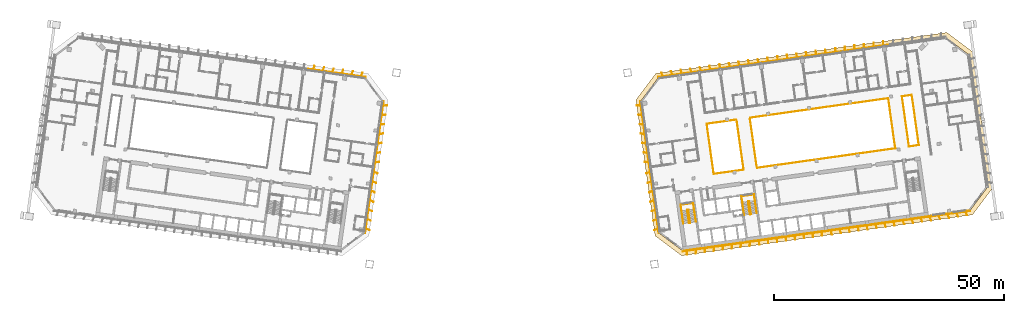
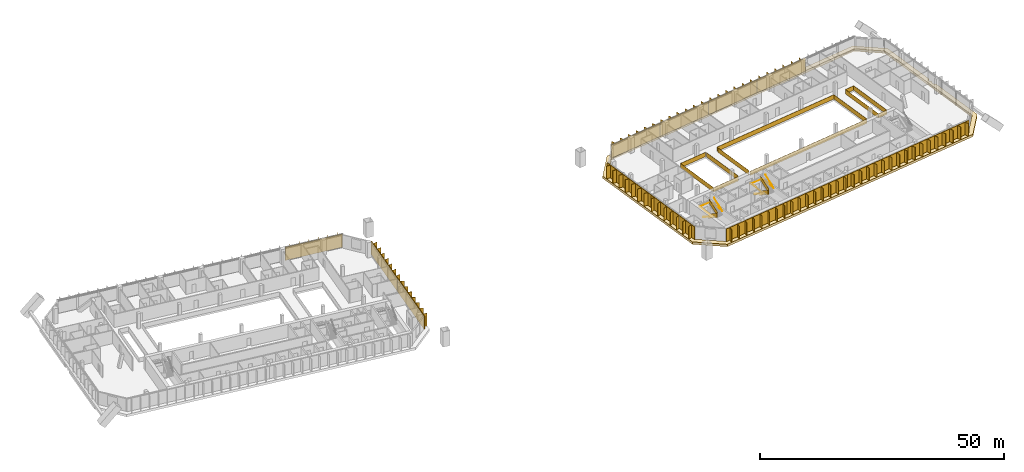
# One storey, part 33 of 34: 13 shading devices, 9 railings, 1 covering.
"""IFC4 building model written with IfcOpenShell, lengths in metres."""

from ifc_helpers import new_model, si_unit, direction, frame, origin, origin_2d, place, context, subcontext, project, spatial, polyline, rectangle, outline, extrude, material, layer, layer_set, type_object, element, save


model = new_model("IFC4")

# Units and contexts
model_context = context("Model", 3, precision=1e-05, world=origin(), true_north=direction((0.0, 1.0)))
body_context = subcontext(model_context, "Body", "Model", "MODEL_VIEW")
ifc_project = project(units=[si_unit("LENGTHUNIT", "METRE"), si_unit("AREAUNIT", "SQUARE_METRE"), si_unit("VOLUMEUNIT", "CUBIC_METRE"), si_unit("PLANEANGLEUNIT", "RADIAN"), si_unit("MASSUNIT", "GRAM", prefix="KILO")], contexts=[model_context])

# Site, building, storey
site_placement = place(None, origin())
site = spatial("IfcSite", under=ifc_project, at=site_placement, CompositionType="ELEMENT")
building_placement = place(site_placement, origin())
building = spatial("IfcBuilding", under=site, at=building_placement, Name="Mirante Cascada Hotel Towers", CompositionType="ELEMENT")
storey_placement = place(building_placement, frame((0.0, 0.0, 148.1)))
storey = spatial("IfcBuildingStorey", under=building, at=storey_placement, Name="L34", CompositionType="ELEMENT", Elevation=148.1)

# Railings
ifc_material_1 = material(Name="Toughened glass with stainless steel handrail", Category="steel")
railing_type_1 = type_object("IfcRailingType", Name="Atrium guard 1100 glass balustrade", PredefinedType="GUARDRAIL", material=ifc_material_1)
railing_1_placement = place(storey_placement, frame((48.76, 8.3112, 0.0)))
element("IfcRailing", 1, at=railing_1_placement, inside=storey, type_object=railing_type_1, Name="GUARD 2-L34-1", PredefinedType="GUARDRAIL", context=body_context, shape_type="SweptSolid", body=[
    extrude(rectangle(XDim=0.048, YDim=0.048, at=origin_2d()), frame((0.0, 0.0, 1.076), z_axis=(-0.9902694, -0.1391638, 0.0), x_axis=(0.1391638, -0.9902694, 0.0)), (0.0, 0.0, 1.0), 6.5125),
    extrude(rectangle(XDim=0.02, YDim=1.052, at=origin_2d()), frame((0.0, 0.0, 0.526), z_axis=(-0.9902694, -0.1391638, 0.0), x_axis=(0.1391638, -0.9902694, 0.0)), (0.0, 0.0, 1.0), 6.5125),
    extrude(rectangle(XDim=0.048, YDim=0.048, at=origin_2d()), frame((-6.4491, -0.9063, 1.076), z_axis=(0.1391721, -0.9902682, 0.0), x_axis=(0.9902682, 0.1391721, 0.0)), (0.0, 0.0, 1.0), 11.0001),
    extrude(rectangle(XDim=0.02, YDim=1.052, at=origin_2d()), frame((-6.4491, -0.9063, 0.526), z_axis=(0.1391721, -0.9902682, 0.0), x_axis=(0.9902682, 0.1391721, 0.0)), (0.0, 0.0, 1.0), 11.0001),
    extrude(rectangle(XDim=0.048, YDim=0.048, at=origin_2d()), frame((-4.9182, -11.7993, 1.076), z_axis=(0.9902673, 0.1391788, 0.0), x_axis=(-0.1391788, 0.9902673, 0.0)), (0.0, 0.0, 1.0), 6.5125),
    extrude(rectangle(XDim=0.02, YDim=1.052, at=origin_2d()), frame((-4.9182, -11.7993, 0.526), z_axis=(0.9902673, 0.1391788, 0.0), x_axis=(-0.1391788, 0.9902673, 0.0)), (0.0, 0.0, 1.0), 6.5125),
])
railing_2_placement = place(storey_placement, frame((53.2617, -2.1642, 0.0)))
element("IfcRailing", 2, at=railing_2_placement, inside=storey, type_object=railing_type_1, Name="GUARD 2-L34-2", PredefinedType="GUARDRAIL", context=body_context, shape_type="SweptSolid", body=[
    extrude(rectangle(XDim=0.048, YDim=0.048, at=origin_2d()), frame((0.0, 0.0, 1.076), z_axis=(0.9902682, 0.1391722, 0.0), x_axis=(-0.1391722, 0.9902682, 0.0)), (0.0, 0.0, 1.0), 30.325),
    extrude(rectangle(XDim=0.02, YDim=1.052, at=origin_2d()), frame((0.0, 0.0, 0.526), z_axis=(0.9902682, 0.1391722, 0.0), x_axis=(-0.1391722, 0.9902682, 0.0)), (0.0, 0.0, 1.0), 30.325),
    extrude(rectangle(XDim=0.048, YDim=0.048, at=origin_2d()), frame((30.0299, 4.2204, 1.076), z_axis=(-0.1391721, 0.9902682, 0.0), x_axis=(-0.9902682, -0.1391721, 0.0)), (0.0, 0.0, 1.0), 11.0001),
    extrude(rectangle(XDim=0.02, YDim=1.052, at=origin_2d()), frame((30.0299, 4.2204, 0.526), z_axis=(-0.1391721, 0.9902682, 0.0), x_axis=(-0.9902682, -0.1391721, 0.0)), (0.0, 0.0, 1.0), 11.0001),
    extrude(rectangle(XDim=0.048, YDim=0.048, at=origin_2d()), frame((28.499, 15.1134, 1.076), z_axis=(-0.9902682, -0.1391722, 0.0), x_axis=(0.1391722, -0.9902682, 0.0)), (0.0, 0.0, 1.0), 30.325),
    extrude(rectangle(XDim=0.02, YDim=1.052, at=origin_2d()), frame((28.499, 15.1134, 0.526), z_axis=(-0.9902682, -0.1391722, 0.0), x_axis=(0.1391722, -0.9902682, 0.0)), (0.0, 0.0, 1.0), 30.325),
])
railing_3_placement = place(storey_placement, frame((86.2624, 2.4738, 0.0)))
element("IfcRailing", 3, at=railing_3_placement, inside=storey, type_object=railing_type_1, Name="GUARD 2-L34-3", PredefinedType="GUARDRAIL", context=body_context, shape_type="SweptSolid", body=[
    extrude(rectangle(XDim=0.048, YDim=0.048, at=origin_2d()), frame((0.0, 0.0, 1.076), z_axis=(0.9902724, 0.1391422, 0.0), x_axis=(-0.1391422, 0.9902724, 0.0)), (0.0, 0.0, 1.0), 2.1625),
    extrude(rectangle(XDim=0.02, YDim=1.052, at=origin_2d()), frame((0.0, 0.0, 0.526), z_axis=(0.9902724, 0.1391422, 0.0), x_axis=(-0.1391422, 0.9902724, 0.0)), (0.0, 0.0, 1.0), 2.1625),
    extrude(rectangle(XDim=0.048, YDim=0.048, at=origin_2d()), frame((2.1415, 0.3009, 1.076), z_axis=(-0.1391721, 0.9902682, 0.0), x_axis=(-0.9902682, -0.1391721, 0.0)), (0.0, 0.0, 1.0), 11.0001),
    extrude(rectangle(XDim=0.02, YDim=1.052, at=origin_2d()), frame((2.1415, 0.3009, 0.526), z_axis=(-0.1391721, 0.9902682, 0.0), x_axis=(-0.9902682, -0.1391721, 0.0)), (0.0, 0.0, 1.0), 11.0001),
    extrude(rectangle(XDim=0.048, YDim=0.048, at=origin_2d()), frame((0.6106, 11.1939, 1.076), z_axis=(-0.990266, -0.1391875, 0.0), x_axis=(0.1391875, -0.990266, 0.0)), (0.0, 0.0, 1.0), 2.1626),
    extrude(rectangle(XDim=0.02, YDim=1.052, at=origin_2d()), frame((0.6106, 11.1939, 0.526), z_axis=(-0.990266, -0.1391875, 0.0), x_axis=(0.1391875, -0.990266, 0.0)), (0.0, 0.0, 1.0), 2.1626),
    extrude(rectangle(XDim=0.048, YDim=0.048, at=origin_2d()), frame((-1.5309, 10.8929, 1.076), z_axis=(0.1391733, -0.990268, 0.0), x_axis=(0.990268, 0.1391733, 0.0)), (0.0, 0.0, 1.0), 11.0),
    extrude(rectangle(XDim=0.02, YDim=1.052, at=origin_2d()), frame((-1.5309, 10.8929, 0.526), z_axis=(0.1391733, -0.990268, 0.0), x_axis=(0.990268, 0.1391733, 0.0)), (0.0, 0.0, 1.0), 11.0),
])
railing_4_placement = place(storey_placement, frame((50.2983, -2.2822, 0.0)))
element("IfcRailing", 4, at=railing_4_placement, inside=storey, type_object=railing_type_1, Name="GUARD 2-L34-4", PredefinedType="GUARDRAIL", context=body_context, shape_type="SweptSolid", body=[
    extrude(rectangle(XDim=0.048, YDim=0.048, at=origin_2d()), frame((0.0, 0.0, 1.076), z_axis=(-0.1391708, 0.9902684, 0.0), x_axis=(-0.9902684, -0.1391708, 0.0)), (0.0, 0.0, 1.0), 10.4088),
    extrude(rectangle(XDim=0.02, YDim=1.052, at=origin_2d()), frame((0.0, 0.0, 0.526), z_axis=(-0.1391708, 0.9902684, 0.0), x_axis=(-0.9902684, -0.1391708, 0.0)), (0.0, 0.0, 1.0), 10.4088),
])
railing_5_placement = place(storey_placement, frame((51.7234, 8.4292, 0.0)))
element("IfcRailing", 5, at=railing_5_placement, inside=storey, type_object=railing_type_1, Name="GUARD 2-L34-5", PredefinedType="GUARDRAIL", context=body_context, shape_type="SweptSolid", body=[
    extrude(rectangle(XDim=0.048, YDim=0.048, at=origin_2d()), frame((0.0, 0.0, 1.076), z_axis=(0.1391721, -0.9902682, 0.0), x_axis=(0.9902682, 0.1391721, 0.0)), (0.0, 0.0, 1.0), 10.4087),
    extrude(rectangle(XDim=0.02, YDim=1.052, at=origin_2d()), frame((0.0, 0.0, 0.526), z_axis=(0.1391721, -0.9902682, 0.0), x_axis=(0.9902682, 0.1391721, 0.0)), (0.0, 0.0, 1.0), 10.4087),
])

# Covering
ifc_material_2 = material(Name="Precast concrete C40/50 white", Category="concrete")
ifc_layer = layer(ifc_material_2, 0.6)
ifc_layer_set = layer_set([ifc_layer], Name="Precast concrete SUNSHADE band 1000x600")
covering_type = type_object("IfcCoveringType", Name="Precast concrete SUNSHADE band 1000x600", PredefinedType="CLADDING", material=ifc_layer_set)
covering_placement = place(storey_placement, frame((0.0, 0.0, -0.45)))
element("IfcCovering", 6, at=covering_placement, inside=storey, type_object=covering_type, Name="Precast concrete SUNSHADE band T2 L34", PredefinedType="CLADDING", context=body_context, shape_type="SweptSolid", body=[
    extrude(outline(polyline([(26.9341, 12.6299), (31.2626, 18.374), (94.4698, 27.2572), (100.2139, 22.9287), (102.1277, 9.3114), (102.1128, 9.3062), (102.0701, 9.2862), (102.0296, 9.2621), (101.9917, 9.2342), (101.9567, 9.2027), (101.9249, 9.1679), (101.8967, 9.1302), (101.8723, 9.0899), (101.852, 9.0474), (101.836, 9.0031), (101.8244, 8.9574), (101.8173, 8.9109), (101.8148, 8.8638), (101.817, 8.8168), (101.8393, 8.5803), (101.8461, 8.5337), (101.8574, 8.4879), (101.8731, 8.4435), (101.893, 8.4009), (101.9171, 8.3604), (101.945, 8.3224), (101.9765, 8.2874), (102.0113, 8.2557), (102.049, 8.2274), (102.0893, 8.2031), (102.1319, 8.1828), (102.1761, 8.1667), (102.2218, 8.1551), (102.2389, 8.1525), (102.2232, 8.1453), (102.1825, 8.1215), (102.1443, 8.0939), (102.1091, 8.0627), (102.077, 8.0282), (102.0485, 7.9906), (102.0239, 7.9505), (102.0032, 7.9082), (101.9869, 7.864), (101.9749, 7.8184), (101.9674, 7.7719), (101.9646, 7.7249), (101.9664, 7.6778), (101.9727, 7.6312), (102.0164, 7.3977), (102.0273, 7.3519), (102.0427, 7.3073), (102.0623, 7.2645), (102.0861, 7.2238), (102.1137, 7.1857), (102.1449, 7.1504), (102.1795, 7.1184), (102.217, 7.0899), (102.2571, 7.0652), (102.2994, 7.0446), (102.3436, 7.0282), (102.3892, 7.0162), (102.4357, 7.0088), (102.4514, 7.0078), (104.3652, -6.6094), (100.0367, -12.3535), (36.8295, -21.2367), (31.0854, -16.9082), (26.9341, 12.6299)]), holes=[polyline([(103.3173, -6.3384), (99.2813, 22.3794), (94.1988, 26.2093), (31.8119, 17.4414), (27.982, 12.3589), (32.018, -16.3589), (37.1005, -20.1888), (99.4874, -11.4209), (103.3173, -6.3384)])]), origin(), (0.0, 0.0, 1.0), 0.6),
])

# Railings
ifc_material_3 = material(Name="Painted steel", Category="steel")
railing_type_2 = type_object("IfcRailingType", Name="Stair guard 1100 steel balustrade", PredefinedType="GUARDRAIL", material=ifc_material_3)
railing_6_placement = place(storey_placement, frame((38.2663, -11.2395, 0.0)))
element("IfcRailing", 7, at=railing_6_placement, inside=storey, type_object=railing_type_2, Name="L34 ST2-A stair guard 1", PredefinedType="GUARDRAIL", context=body_context, shape_type="SweptSolid", body=[
    extrude(rectangle(XDim=0.048, YDim=0.048, at=origin_2d()), frame((0.0, 0.0, 1.076), z_axis=(-0.9903326, -0.1387133, 0.0), x_axis=(0.1387133, -0.9903326, 0.0)), (0.0, 0.0, 1.0), 0.1499),
    extrude(rectangle(XDim=0.02, YDim=1.052, at=origin_2d()), frame((0.0, 0.0, 0.526), z_axis=(-0.9903326, -0.1387133, 0.0), x_axis=(0.1387133, -0.9903326, 0.0)), (0.0, 0.0, 1.0), 0.1499),
    extrude(rectangle(XDim=0.048, YDim=0.048, at=origin_2d()), frame((-0.1485, -0.0208, 1.076), z_axis=(-0.6020331, -0.7984711, 0.0), x_axis=(0.7984711, -0.6020331, 0.0)), (0.0, 0.9253398, 0.3791387), 0.1866),
    extrude(rectangle(XDim=0.02, YDim=1.052, at=origin_2d()), frame((-0.1485, -0.0208, 0.526), z_axis=(-0.6020331, -0.7984711, 0.0), x_axis=(0.7984711, -0.6020331, 0.0)), (0.0, 0.9253398, 0.3791387), 0.1866),
    extrude(rectangle(XDim=0.048, YDim=0.048, at=origin_2d()), frame((-0.1911, -0.0773, 1.2487), z_axis=(0.139176, -0.9902677, 0.0), x_axis=(0.9902677, 0.139176, 0.0)), (0.0, 0.5250212, 0.8510891), 3.29),
    extrude(rectangle(XDim=0.02, YDim=1.052, at=origin_2d()), frame((-0.1911, -0.0773, 0.6987), z_axis=(0.139176, -0.9902677, 0.0), x_axis=(0.9902677, 0.139176, 0.0)), (0.0, 0.5250212, 0.8510891), 3.29),
    extrude(rectangle(XDim=0.048, YDim=0.048, at=origin_2d()), frame((0.1986, -2.8501, 2.976), z_axis=(0.9944948, -0.1047858, 0.0), x_axis=(0.1047858, 0.9944948, 0.0)), (0.0, 0.0, 1.0), 0.2061),
    extrude(rectangle(XDim=0.02, YDim=1.052, at=origin_2d()), frame((0.1986, -2.8501, 2.426), z_axis=(0.9944948, -0.1047858, 0.0), x_axis=(0.1047858, 0.9944948, 0.0)), (0.0, 0.0, 1.0), 0.2061),
    extrude(rectangle(XDim=0.048, YDim=0.048, at=origin_2d()), frame((0.4036, -2.8717, 2.976), z_axis=(-0.9902408, -0.1393672, 0.0), x_axis=(0.1393672, -0.9902408, 0.0)), (0.0, 0.0, 1.0), 0.15),
    extrude(rectangle(XDim=0.02, YDim=1.052, at=origin_2d()), frame((0.4036, -2.8717, 2.426), z_axis=(-0.9902408, -0.1393672, 0.0), x_axis=(0.1393672, -0.9902408, 0.0)), (0.0, 0.0, 1.0), 0.15),
    extrude(rectangle(XDim=0.048, YDim=0.048, at=origin_2d()), frame((0.2551, -2.8926, 2.976), z_axis=(0.9270311, 0.3749843, 0.0), x_axis=(-0.3749843, 0.9270311, 0.0)), (0.0, 0.6421903, 0.7665452), 0.2689),
    extrude(rectangle(XDim=0.02, YDim=1.052, at=origin_2d()), frame((0.2551, -2.8926, 2.426), z_axis=(0.9270311, 0.3749843, 0.0), x_axis=(-0.3749843, 0.9270311, 0.0)), (0.0, 0.6421903, 0.7665452), 0.2689),
    extrude(rectangle(XDim=0.048, YDim=0.048, at=origin_2d()), frame((0.4462, -2.8153, 3.1487), z_axis=(-0.139176, 0.9902677, 0.0), x_axis=(-0.9902677, -0.139176, 0.0)), (0.0, 0.5250212, 0.8510891), 3.29),
    extrude(rectangle(XDim=0.02, YDim=1.052, at=origin_2d()), frame((0.4462, -2.8153, 2.5987), z_axis=(-0.139176, 0.9902677, 0.0), x_axis=(-0.9902677, -0.139176, 0.0)), (0.0, 0.5250212, 0.8510891), 3.29),
])
railing_7_placement = place(storey_placement, frame((51.4864, -9.3815, 0.0)))
element("IfcRailing", 8, at=railing_7_placement, inside=storey, type_object=railing_type_2, Name="L34 ST2-B stair guard 1", PredefinedType="GUARDRAIL", context=body_context, shape_type="SweptSolid", body=[
    extrude(rectangle(XDim=0.048, YDim=0.048, at=origin_2d()), frame((0.0, 0.0, 1.076), z_axis=(-0.9902408, -0.1393672, 0.0), x_axis=(0.1393672, -0.9902408, 0.0)), (0.0, 0.0, 1.0), 0.15),
    extrude(rectangle(XDim=0.02, YDim=1.052, at=origin_2d()), frame((0.0, 0.0, 0.526), z_axis=(-0.9902408, -0.1393672, 0.0), x_axis=(0.1393672, -0.9902408, 0.0)), (0.0, 0.0, 1.0), 0.15),
    extrude(rectangle(XDim=0.048, YDim=0.048, at=origin_2d()), frame((-0.1485, -0.0209, 1.076), z_axis=(-0.6020331, -0.7984711, 0.0), x_axis=(0.7984711, -0.6020331, 0.0)), (0.0, 0.9253398, 0.3791387), 0.1866),
    extrude(rectangle(XDim=0.02, YDim=1.052, at=origin_2d()), frame((-0.1485, -0.0209, 0.526), z_axis=(-0.6020331, -0.7984711, 0.0), x_axis=(0.7984711, -0.6020331, 0.0)), (0.0, 0.9253398, 0.3791387), 0.1866),
    extrude(rectangle(XDim=0.048, YDim=0.048, at=origin_2d()), frame((-0.1911, -0.0774, 1.2487), z_axis=(0.139181, -0.990267, 0.0), x_axis=(0.990267, 0.139181, 0.0)), (0.0, 0.5250347, 0.8510808), 3.2899),
    extrude(rectangle(XDim=0.02, YDim=1.052, at=origin_2d()), frame((-0.1911, -0.0774, 0.6987), z_axis=(0.139181, -0.990267, 0.0), x_axis=(0.990267, 0.139181, 0.0)), (0.0, 0.5250347, 0.8510808), 3.2899),
    extrude(rectangle(XDim=0.048, YDim=0.048, at=origin_2d()), frame((0.1986, -2.8501, 2.976), z_axis=(0.9944441, -0.1052656, 0.0), x_axis=(0.1052656, 0.9944441, 0.0)), (0.0, 0.0, 1.0), 0.2061),
    extrude(rectangle(XDim=0.02, YDim=1.052, at=origin_2d()), frame((0.1986, -2.8501, 2.426), z_axis=(0.9944441, -0.1052656, 0.0), x_axis=(0.1052656, 0.9944441, 0.0)), (0.0, 0.0, 1.0), 0.2061),
    extrude(rectangle(XDim=0.048, YDim=0.048, at=origin_2d()), frame((0.4036, -2.8718, 2.976), z_axis=(-0.9902408, -0.1393672, 0.0), x_axis=(0.1393672, -0.9902408, 0.0)), (0.0, 0.0, 1.0), 0.15),
    extrude(rectangle(XDim=0.02, YDim=1.052, at=origin_2d()), frame((0.4036, -2.8718, 2.426), z_axis=(-0.9902408, -0.1393672, 0.0), x_axis=(0.1393672, -0.9902408, 0.0)), (0.0, 0.0, 1.0), 0.15),
    extrude(rectangle(XDim=0.048, YDim=0.048, at=origin_2d()), frame((0.2551, -2.8927, 2.976), z_axis=(0.9268624, 0.3754011, 0.0), x_axis=(-0.3754011, 0.9268624, 0.0)), (0.0, 0.6421217, 0.7666028), 0.269),
    extrude(rectangle(XDim=0.02, YDim=1.052, at=origin_2d()), frame((0.2551, -2.8927, 2.426), z_axis=(0.9268624, 0.3754011, 0.0), x_axis=(-0.3754011, 0.9268624, 0.0)), (0.0, 0.6421217, 0.7666028), 0.269),
    extrude(rectangle(XDim=0.048, YDim=0.048, at=origin_2d()), frame((0.4462, -2.8153, 3.1487), z_axis=(-0.139181, 0.990267, 0.0), x_axis=(-0.990267, -0.139181, 0.0)), (0.0, 0.5250347, 0.8510808), 3.2899),
    extrude(rectangle(XDim=0.02, YDim=1.052, at=origin_2d()), frame((0.4462, -2.8153, 2.5987), z_axis=(-0.139181, 0.990267, 0.0), x_axis=(-0.990267, -0.139181, 0.0)), (0.0, 0.5250347, 0.8510808), 3.2899),
])
ifc_material_4 = material(Name="Painted steel", Category="steel")
railing_type_3 = type_object("IfcRailingType", Name="Stair handrail 900 steel tube", PredefinedType="HANDRAIL", material=ifc_material_4)
railing_8_placement = place(storey_placement, frame((36.8374, -11.4908, 0.1727)))
element("IfcRailing", 9, at=railing_8_placement, inside=storey, type_object=railing_type_3, Name="L34 ST2-A stair handrail 1", PredefinedType="HANDRAIL", context=body_context, shape_type="SweptSolid", body=[
    extrude(rectangle(XDim=0.048, YDim=0.048, at=origin_2d()), frame((0.0, 0.0, 0.876), z_axis=(0.139181, -0.990267, 0.0), x_axis=(0.990267, 0.139181, 0.0)), (0.0, 0.5250347, 0.8510808), 3.2899),
    extrude(rectangle(XDim=0.048, YDim=0.048, at=origin_2d()), frame((0.3897, -2.7727, 2.6033), z_axis=(-0.1391707, 0.9902684, 0.0), x_axis=(-0.9902684, -0.1391707, 0.0)), (0.0, 0.0420846, 0.999114), 4.1036),
    extrude(rectangle(XDim=0.048, YDim=0.048, at=origin_2d()), frame((-0.1809, 1.2874, 2.776), z_axis=(0.9902691, 0.1391657, 0.0), x_axis=(-0.1391657, 0.9902691, 0.0)), (0.0, 0.0, 1.0), 2.75),
    extrude(rectangle(XDim=0.048, YDim=0.048, at=origin_2d()), frame((2.5423, 1.6701, 2.776), z_axis=(0.1391707, -0.9902684, 0.0), x_axis=(0.9902684, 0.1391707, 0.0)), (0.0, 0.0, 1.0), 4.1),
    extrude(rectangle(XDim=0.048, YDim=0.048, at=origin_2d()), frame((3.1129, -2.39, 2.776), z_axis=(-0.139181, 0.990267, 0.0), x_axis=(-0.990267, -0.139181, 0.0)), (0.0, 0.5250347, 0.8510808), 3.2899),
])
railing_9_placement = place(storey_placement, frame((50.0575, -9.6328, 0.1727)))
element("IfcRailing", 10, at=railing_9_placement, inside=storey, type_object=railing_type_3, Name="L34 ST2-B stair handrail 1", PredefinedType="HANDRAIL", context=body_context, shape_type="SweptSolid", body=[
    extrude(rectangle(XDim=0.048, YDim=0.048, at=origin_2d()), frame((0.0, 0.0, 0.876), z_axis=(0.139176, -0.9902677, 0.0), x_axis=(0.9902677, 0.139176, 0.0)), (0.0, 0.5250212, 0.8510891), 3.29),
    extrude(rectangle(XDim=0.048, YDim=0.048, at=origin_2d()), frame((0.3897, -2.7728, 2.6033), z_axis=(-0.1391707, 0.9902684, 0.0), x_axis=(-0.9902684, -0.1391707, 0.0)), (0.0, 0.0420846, 0.999114), 4.1036),
    extrude(rectangle(XDim=0.048, YDim=0.048, at=origin_2d()), frame((-0.1809, 1.2873, 2.776), z_axis=(0.9902641, 0.1392013, 0.0), x_axis=(-0.1392013, 0.9902641, 0.0)), (0.0, 0.0, 1.0), 2.75),
    extrude(rectangle(XDim=0.048, YDim=0.048, at=origin_2d()), frame((2.5423, 1.6701, 2.776), z_axis=(0.1391707, -0.9902684, 0.0), x_axis=(0.9902684, 0.1391707, 0.0)), (0.0, 0.0, 1.0), 4.1),
    extrude(rectangle(XDim=0.048, YDim=0.048, at=origin_2d()), frame((3.1129, -2.39, 2.776), z_axis=(-0.139181, 0.990267, 0.0), x_axis=(-0.990267, -0.139181, 0.0)), (0.0, 0.5250347, 0.8510808), 3.2899),
])

# Shading devices
ifc_material_5 = material(Name="White precast concrete C50/60 fin", Category="concrete")
shading_device_type = type_object("IfcShadingDeviceType", Name="Vertical fin set 4500x900", PredefinedType="USERDEFINED", material=ifc_material_5)
shading_device_1_placement = place(storey_placement, origin())
element("IfcShadingDevice", 11, at=shading_device_1_placement, inside=storey, type_object=shading_device_type, Name="FIN T1 L34 front 5", ObjectType="FIN", PredefinedType="USERDEFINED", context=body_context, shape_type="SweptSolid", body=[
    extrude(outline(polyline([(-32.4493, 18.4994), (-32.7765, 17.7284), (-31.791, 17.5899), (-31.8119, 17.4414), (-44.2893, 19.195), (-44.2684, 19.3435), (-43.2564, 19.2013), (-42.9208, 19.9919), (-42.8471, 19.9607), (-43.1744, 19.1897), (-41.1768, 18.909), (-40.8412, 19.6997), (-40.7676, 19.6684), (-41.0948, 18.8975), (-39.0973, 18.6167), (-38.7616, 19.4074), (-38.688, 19.3761), (-39.0152, 18.6052), (-37.0177, 18.3245), (-36.6821, 19.1151), (-36.6084, 19.0839), (-36.9357, 18.3129), (-34.9381, 18.0322), (-34.6025, 18.8229), (-34.5289, 18.7916), (-34.8561, 18.0207), (-32.8586, 17.7399), (-32.5229, 18.5306), (-32.4493, 18.4994)])), origin(), (0.0, 0.0, 1.0), 3.3),
])
shading_device_2_placement = place(storey_placement, origin())
element("IfcShadingDevice", 12, at=shading_device_2_placement, inside=storey, type_object=shading_device_type, Name="FIN T1 L34 inner 1", ObjectType="FIN", PredefinedType="USERDEFINED", context=body_context, shape_type="SweptSolid", body=[
    extrude(outline(polyline([(-29.7112, -1.023), (-29.8515, -2.0209), (-30.0, -2.0), (-27.982, 12.3589), (-27.8334, 12.338), (-27.97, 11.3667), (-27.1387, 11.4687), (-27.1289, 11.3893), (-27.9815, 11.2846), (-28.2583, 9.3154), (-27.427, 9.4174), (-27.4172, 9.338), (-28.2698, 9.2334), (-28.5465, 7.2641), (-27.7153, 7.3662), (-27.7055, 7.2868), (-28.5581, 7.1821), (-28.8348, 5.2128), (-28.0036, 5.3149), (-27.9938, 5.2355), (-28.8464, 5.1308), (-29.1231, 3.1616), (-28.2918, 3.2636), (-28.2821, 3.1842), (-29.1346, 3.0796), (-29.4114, 1.1103), (-28.5801, 1.2124), (-28.5704, 1.133), (-29.4229, 1.0283), (-29.6997, -0.941), (-28.8684, -0.8389), (-28.8587, -0.9183), (-29.7112, -1.023)])), origin(), (0.0, 0.0, 1.0), 3.3),
])
shading_device_3_placement = place(storey_placement, origin())
element("IfcShadingDevice", 13, at=shading_device_3_placement, inside=storey, type_object=shading_device_type, Name="FIN T1 L34 inner 2", ObjectType="FIN", PredefinedType="USERDEFINED", context=body_context, shape_type="SweptSolid", body=[
    extrude(outline(polyline([(-31.733, -15.4084), (-31.8695, -16.3798), (-32.018, -16.3589), (-30.0, -2.0), (-29.8515, -2.0209), (-29.9917, -3.0188), (-29.201, -3.3544), (-29.2323, -3.428), (-30.0032, -3.1008), (-30.28, -5.07), (-29.4893, -5.4057), (-29.5206, -5.4793), (-30.2915, -5.1521), (-30.5683, -7.1213), (-29.7776, -7.4569), (-29.8089, -7.5306), (-30.5798, -7.2033), (-30.8566, -9.1726), (-30.0659, -9.5082), (-30.0972, -9.5818), (-30.8681, -9.2546), (-31.1449, -11.2238), (-30.3542, -11.5595), (-30.3854, -11.6331), (-31.1564, -11.3059), (-31.4331, -13.2751), (-30.6425, -13.6107), (-30.6737, -13.6844), (-31.4447, -13.3571), (-31.7214, -15.3264), (-30.9308, -15.662), (-30.962, -15.7356), (-31.733, -15.4084)])), origin(), (0.0, 0.0, 1.0), 3.3),
])
shading_device_4_placement = place(storey_placement, origin())
element("IfcShadingDevice", 14, at=shading_device_4_placement, inside=storey, type_object=shading_device_type, Name="FIN T2 L34 front 2", ObjectType="FIN", PredefinedType="USERDEFINED", context=body_context, shape_type="SweptSolid", body=[
    extrude(outline(polyline([(70.3021, 23.8476), (70.3094, 23.0033), (72.3091, 23.2844), (72.3016, 24.1392), (72.3816, 24.1399), (72.389, 23.2956), (74.3886, 23.5766), (74.3812, 24.4314), (74.4612, 24.4321), (74.4686, 23.5878), (76.4682, 23.8689), (76.4608, 24.7237), (76.5407, 24.7244), (76.5481, 23.8801), (78.5478, 24.1611), (78.5403, 25.0159), (78.6203, 25.0166), (78.6277, 24.1724), (80.6273, 24.4534), (80.6199, 25.3082), (80.6999, 25.3089), (80.7072, 24.4646), (81.7006, 24.6042), (81.7214, 24.4557), (69.2441, 22.7021), (69.2232, 22.8507), (70.2295, 22.9921), (70.2221, 23.8469), (70.3021, 23.8476)])), origin(), (0.0, 0.0, 1.0), 3.3),
])
shading_device_5_placement = place(storey_placement, origin())
element("IfcShadingDevice", 15, at=shading_device_5_placement, inside=storey, type_object=shading_device_type, Name="FIN T2 L34 front 3", ObjectType="FIN", PredefinedType="USERDEFINED", context=body_context, shape_type="SweptSolid", body=[
    extrude(outline(polyline([(57.7069, 22.0905), (57.8252, 21.2488), (59.8255, 21.5299), (59.7072, 22.3716), (59.7865, 22.3828), (59.9048, 21.541), (61.9051, 21.8222), (61.7868, 22.6639), (61.866, 22.675), (61.9843, 21.8333), (63.9847, 22.1144), (63.8664, 22.9562), (63.9456, 22.9673), (64.0639, 22.1256), (66.0642, 22.4067), (65.9459, 23.2484), (66.0251, 23.2596), (66.1434, 22.4178), (68.1438, 22.699), (68.0255, 23.5407), (68.1047, 23.5518), (68.223, 22.7101), (69.2232, 22.8507), (69.2441, 22.7021), (56.7667, 20.9485), (56.7458, 21.0971), (57.746, 21.2376), (57.6277, 22.0794), (57.7069, 22.0905)])), origin(), (0.0, 0.0, 1.0), 3.3),
])
shading_device_6_placement = place(storey_placement, origin())
element("IfcShadingDevice", 16, at=shading_device_6_placement, inside=storey, type_object=shading_device_type, Name="FIN T2 L34 front 4", ObjectType="FIN", PredefinedType="USERDEFINED", context=body_context, shape_type="SweptSolid", body=[
    extrude(outline(polyline([(45.1132, 20.3181), (45.3416, 19.4943), (47.3413, 19.7754), (47.1157, 20.589), (47.1928, 20.6103), (47.4212, 19.7866), (49.4209, 20.0676), (49.1952, 20.8812), (49.2723, 20.9026), (49.5008, 20.0789), (51.5004, 20.3599), (51.2748, 21.1735), (51.3519, 21.1949), (51.5803, 20.3711), (53.58, 20.6521), (53.3544, 21.4657), (53.4314, 21.4871), (53.6599, 20.6634), (55.6595, 20.9444), (55.4339, 21.758), (55.511, 21.7794), (55.7394, 20.9556), (56.7458, 21.0971), (56.7667, 20.9485), (44.2893, 19.195), (44.2684, 19.3435), (45.2617, 19.4831), (45.0361, 20.2967), (45.1132, 20.3181)])), origin(), (0.0, 0.0, 1.0), 3.3),
])
shading_device_7_placement = place(storey_placement, origin())
element("IfcShadingDevice", 17, at=shading_device_7_placement, inside=storey, type_object=shading_device_type, Name="FIN T2 L34 front 5", ObjectType="FIN", PredefinedType="USERDEFINED", context=body_context, shape_type="SweptSolid", body=[
    extrude(outline(polyline([(32.5229, 18.5306), (32.8586, 17.7399), (34.8561, 18.0207), (34.5289, 18.7916), (34.6025, 18.8229), (34.9381, 18.0322), (36.9357, 18.3129), (36.6084, 19.0839), (36.6821, 19.1151), (37.0177, 18.3245), (39.0152, 18.6052), (38.688, 19.3761), (38.7616, 19.4074), (39.0973, 18.6167), (41.0948, 18.8975), (40.7676, 19.6684), (40.8412, 19.6997), (41.1768, 18.909), (43.1744, 19.1897), (42.8471, 19.9607), (42.9208, 19.9919), (43.2564, 19.2013), (44.2684, 19.3435), (44.2893, 19.195), (31.8119, 17.4414), (31.791, 17.5899), (32.7765, 17.7284), (32.4493, 18.4994), (32.5229, 18.5306)])), origin(), (0.0, 0.0, 1.0), 3.3),
])
shading_device_8_placement = place(storey_placement, origin())
element("IfcShadingDevice", 18, at=shading_device_8_placement, inside=storey, type_object=shading_device_type, Name="FIN T2 L34 inner 1", ObjectType="FIN", PredefinedType="USERDEFINED", context=body_context, shape_type="SweptSolid", body=[
    extrude(outline(polyline([(28.8684, -0.8389), (29.6997, -0.941), (29.4229, 1.0283), (28.5704, 1.133), (28.5801, 1.2124), (29.4114, 1.1103), (29.1346, 3.0796), (28.2821, 3.1842), (28.2918, 3.2636), (29.1231, 3.1616), (28.8464, 5.1308), (27.9938, 5.2355), (28.0036, 5.3149), (28.8348, 5.2128), (28.5581, 7.1821), (27.7055, 7.2868), (27.7153, 7.3662), (28.5465, 7.2641), (28.2698, 9.2334), (27.4172, 9.338), (27.427, 9.4174), (28.2583, 9.3154), (27.9815, 11.2846), (27.1289, 11.3893), (27.1387, 11.4687), (27.97, 11.3667), (27.8334, 12.338), (27.982, 12.3589), (30.0, -2.0), (29.8515, -2.0209), (29.7112, -1.023), (28.8587, -0.9183), (28.8684, -0.8389)])), origin(), (0.0, 0.0, 1.0), 3.3),
])
shading_device_9_placement = place(storey_placement, origin())
element("IfcShadingDevice", 19, at=shading_device_9_placement, inside=storey, type_object=shading_device_type, Name="FIN T2 L34 inner 2", ObjectType="FIN", PredefinedType="USERDEFINED", context=body_context, shape_type="SweptSolid", body=[
    extrude(outline(polyline([(30.9308, -15.662), (31.7214, -15.3264), (31.4447, -13.3571), (30.6737, -13.6844), (30.6425, -13.6107), (31.4331, -13.2751), (31.1564, -11.3059), (30.3854, -11.6331), (30.3542, -11.5595), (31.1449, -11.2238), (30.8681, -9.2546), (30.0972, -9.5818), (30.0659, -9.5082), (30.8566, -9.1726), (30.5798, -7.2033), (29.8089, -7.5306), (29.7776, -7.4569), (30.5683, -7.1213), (30.2915, -5.1521), (29.5206, -5.4793), (29.4893, -5.4057), (30.28, -5.07), (30.0032, -3.1008), (29.2323, -3.428), (29.201, -3.3544), (29.9917, -3.0188), (29.8515, -2.0209), (30.0, -2.0), (32.018, -16.3589), (31.8695, -16.3798), (31.733, -15.4084), (30.962, -15.7356), (30.9308, -15.662)])), origin(), (0.0, 0.0, 1.0), 3.3),
])
shading_device_10_placement = place(storey_placement, origin())
element("IfcShadingDevice", 20, at=shading_device_10_placement, inside=storey, type_object=shading_device_type, Name="FIN T2 L34 rear 1", ObjectType="FIN", PredefinedType="USERDEFINED", context=body_context, shape_type="SweptSolid", body=[
    extrude(outline(polyline([(37.9398, -21.0393), (38.0419, -20.208), (37.1214, -20.3374), (37.1005, -20.1888), (52.6972, -17.9968), (52.7181, -18.1454), (51.771, -18.2785), (51.6664, -19.131), (51.587, -19.1213), (51.689, -18.29), (49.8214, -18.5525), (49.7168, -19.405), (49.6374, -19.3953), (49.7394, -18.564), (47.8719, -18.8265), (47.7672, -19.679), (47.6878, -19.6693), (47.7898, -18.838), (45.9223, -19.1005), (45.8176, -19.953), (45.7382, -19.9433), (45.8403, -19.112), (43.9727, -19.3745), (43.868, -20.227), (43.7886, -20.2173), (43.8907, -19.386), (42.0231, -19.6485), (41.9184, -20.501), (41.839, -20.4913), (41.9411, -19.66), (40.0735, -19.9225), (39.9688, -20.775), (39.8894, -20.7653), (39.9915, -19.934), (38.1239, -20.1965), (38.0192, -21.049), (37.9398, -21.0393)])), origin(), (0.0, 0.0, 1.0), 3.3),
])
shading_device_11_placement = place(storey_placement, origin())
element("IfcShadingDevice", 21, at=shading_device_11_placement, inside=storey, type_object=shading_device_type, Name="FIN T2 L34 rear 2", ObjectType="FIN", PredefinedType="USERDEFINED", context=body_context, shape_type="SweptSolid", body=[
    extrude(outline(polyline([(53.6931, -18.8597), (53.6488, -18.0146), (52.7181, -18.1454), (52.6972, -17.9968), (68.2939, -15.8049), (68.3148, -15.9534), (67.3755, -16.0854), (67.4201, -16.9376), (67.3402, -16.9417), (67.2959, -16.0966), (65.4259, -16.3594), (65.4705, -17.2116), (65.3906, -17.2157), (65.3463, -16.3706), (63.4763, -16.6334), (63.5209, -17.4856), (63.441, -17.4897), (63.3967, -16.6446), (61.5267, -16.9074), (61.5713, -17.7596), (61.4914, -17.7637), (61.4472, -16.9186), (59.5771, -17.1814), (59.6217, -18.0335), (59.5419, -18.0377), (59.4976, -17.1926), (57.6275, -17.4554), (57.6722, -18.3075), (57.5923, -18.3117), (57.548, -17.4666), (55.6779, -17.7294), (55.7226, -18.5815), (55.6427, -18.5857), (55.5984, -17.7406), (53.7283, -18.0034), (53.773, -18.8555), (53.6931, -18.8597)])), origin(), (0.0, 0.0, 1.0), 3.3),
])
shading_device_12_placement = place(storey_placement, origin())
element("IfcShadingDevice", 22, at=shading_device_12_placement, inside=storey, type_object=shading_device_type, Name="FIN T2 L34 rear 3", ObjectType="FIN", PredefinedType="USERDEFINED", context=body_context, shape_type="SweptSolid", body=[
    extrude(outline(polyline([(69.4461, -16.6528), (69.2542, -15.8214), (68.3148, -15.9534), (68.2939, -15.8049), (83.8907, -13.6129), (83.9115, -13.7614), (82.9808, -13.8922), (83.1712, -14.7168), (83.0933, -14.7348), (82.9013, -13.9034), (81.0312, -14.1662), (81.2216, -14.9908), (81.1437, -15.0088), (80.9517, -14.1774), (79.0817, -14.4402), (79.272, -15.2648), (79.1941, -15.2828), (79.0021, -14.4514), (77.1321, -14.7142), (77.3224, -15.5388), (77.2445, -15.5568), (77.0525, -14.7254), (75.1825, -14.9882), (75.3729, -15.8128), (75.2949, -15.8308), (75.103, -14.9994), (73.2329, -15.2622), (73.4233, -16.0868), (73.3453, -16.1048), (73.1534, -15.2734), (71.2833, -15.5362), (71.4737, -16.3608), (71.3957, -16.3788), (71.2038, -15.5474), (69.3337, -15.8102), (69.5241, -16.6348), (69.4461, -16.6528)])), origin(), (0.0, 0.0, 1.0), 3.3),
])
shading_device_13_placement = place(storey_placement, origin())
element("IfcShadingDevice", 23, at=shading_device_13_placement, inside=storey, type_object=shading_device_type, Name="FIN T2 L34 rear 4", ObjectType="FIN", PredefinedType="USERDEFINED", context=body_context, shape_type="SweptSolid", body=[
    extrude(outline(polyline([(85.1942, -14.419), (84.8586, -13.6283), (83.9115, -13.7614), (83.8907, -13.6129), (99.4874, -11.4209), (99.5083, -11.5694), (98.5877, -11.6988), (98.915, -12.4698), (98.8413, -12.501), (98.5057, -11.7103), (96.6381, -11.9728), (96.9654, -12.7438), (96.8918, -12.775), (96.5561, -11.9843), (94.6886, -12.2468), (95.0158, -13.0178), (94.9422, -13.049), (94.6065, -12.2583), (92.739, -12.5208), (93.0662, -13.2918), (92.9926, -13.323), (92.657, -12.5323), (90.7894, -12.7948), (91.1166, -13.5657), (91.043, -13.597), (90.7074, -12.8063), (88.8398, -13.0688), (89.167, -13.8397), (89.0934, -13.871), (88.7578, -13.0803), (86.8902, -13.3428), (87.2174, -14.1137), (87.1438, -14.145), (86.8082, -13.3543), (84.9406, -13.6168), (85.2679, -14.3877), (85.1942, -14.419)])), origin(), (0.0, 0.0, 1.0), 3.3),
])

save(model, "model.ifc")
